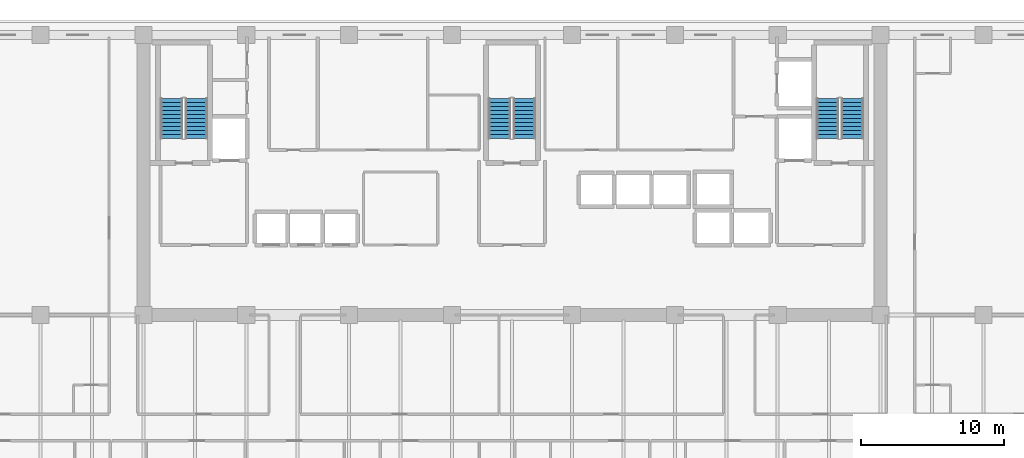
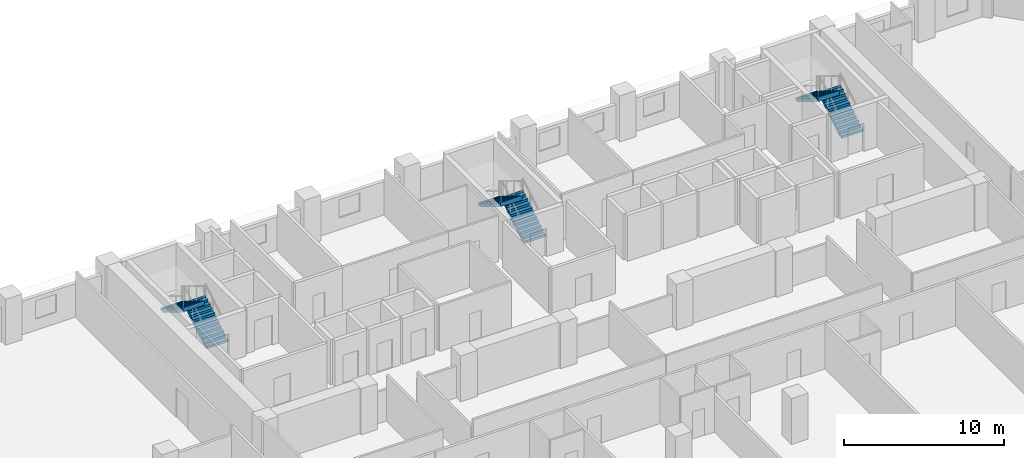
# One storey, part 10 of 14: 6 stair flights, 3 elements without a shape of their own.
"""IFC4 building model written with IfcOpenShell, lengths in metres."""

from ifc_helpers import new_model, si_unit, direction, frame, origin, place, context, subcontext, project, spatial, polyline, outline, extrude, material, type_object, element, aggregate, save


model = new_model("IFC4")

# Units and contexts
model_context = context("Model", 3, precision=1e-05, world=origin(), true_north=direction((0.0, 1.0)))
body_context = subcontext(model_context, "Body", "Model", "MODEL_VIEW")
ifc_project = project(units=[si_unit("LENGTHUNIT", "METRE"), si_unit("AREAUNIT", "SQUARE_METRE"), si_unit("VOLUMEUNIT", "CUBIC_METRE"), si_unit("PLANEANGLEUNIT", "RADIAN"), si_unit("MASSUNIT", "GRAM", prefix="KILO")], contexts=[model_context])

# Site, building, storey
site_placement = place(None, origin())
site = spatial("IfcSite", under=ifc_project, at=site_placement, CompositionType="ELEMENT")
building_placement = place(site_placement, origin())
building = spatial("IfcBuilding", under=site, at=building_placement, Name="Kaelvorn Grand Hotel", CompositionType="ELEMENT")
storey_placement = place(building_placement, frame((0.0, 0.0, 93.050048828125)))
storey = spatial("IfcBuildingStorey", under=building, at=storey_placement, Name="L21", CompositionType="ELEMENT", Elevation=93.050048828125)

# Stair, stair flights
ifc_material = material(Name="Concrete C40/50", Category="concrete")
stair_type = type_object("IfcStairType", Name="STR-DOG-1560-R06", PredefinedType="HALF_TURN_STAIR", material=ifc_material)
stair_1_placement = place(storey_placement, origin())
stair_1 = element("IfcStair", 1, at=stair_1_placement, inside=storey, type_object=stair_type, Name="L21 West Core Exit Stair ST1", PredefinedType="HALF_TURN_STAIR")
stair_flight_type = type_object("IfcStairFlightType", Name="FLG-DOG-1560-R06", PredefinedType="STRAIGHT", material=ifc_material)
stair_flight_1_placement = place(storey_placement, frame((19.89990234375, 41.760009765625, 0.0), z_axis=(0.0, 0.0, 1.0), x_axis=(0.0, 1.0, 0.0)))
stair_flight_1 = element("IfcStairFlight", 2, at=stair_flight_1_placement, type_object=stair_flight_type, Name="ST1 flight 1", NumberOfRisers=11, NumberOfTreads=10, PredefinedType="STRAIGHT", RiserHeight=0.170454545, TreadLength=0.28, context=body_context, shape_type="SweptSolid", body=[
    extrude(outline(polyline([(-0.0048828125, 0.0), (-0.0048828125, 0.0400390625), (0.0, 0.17041015625), (0.280029296875, 0.17041015625), (0.280029296875, 0.3408203125), (0.56005859375, 0.3408203125), (0.56005859375, 0.511474609375), (0.840087890625, 0.511474609375), (0.840087890625, 0.681884765625), (1.1201171875, 0.681884765625), (1.1201171875, 0.852294921875), (1.39990234375, 0.852294921875), (1.39990234375, 1.022705078125), (1.679931640625, 1.022705078125), (1.679931640625, 1.193115234375), (1.9599609375, 1.193115234375), (1.9599609375, 1.363525390625), (2.239990234375, 1.363525390625), (2.239990234375, 1.5341796875), (2.52001953125, 1.5341796875), (2.52001953125, 1.70458984375), (2.800048828125, 1.70458984375), (2.800048828125, 1.875), (2.804931640625, 1.875), (2.804931640625, 1.529052734375), (0.288330078125, 0.0), (-0.0048828125, 0.0)])), frame((0.0, 0.780029296875, 0.0), z_axis=(0.0, -1.0, 0.0), x_axis=(1.0, 0.0, 0.0)), (0.0, 0.0, 1.0), 1.56005859375),
])
stair_flight_2_placement = place(storey_placement, frame((18.179931640625, 44.56005859375, 1.875), z_axis=(0.0, 0.0, 1.0), x_axis=(0.0, -1.0, 0.0)))
stair_flight_2 = element("IfcStairFlight", 3, at=stair_flight_2_placement, type_object=stair_flight_type, Name="ST1 flight 2", NumberOfRisers=11, NumberOfTreads=10, PredefinedType="STRAIGHT", RiserHeight=0.170454545, TreadLength=0.28, context=body_context, shape_type="SweptSolid", body=[
    extrude(outline(polyline([(-0.0048828125, 0.0), (-0.0048828125, 0.0400390625), (0.0, 0.17041015625), (0.280029296875, 0.17041015625), (0.280029296875, 0.3408203125), (0.56005859375, 0.3408203125), (0.56005859375, 0.511474609375), (0.840087890625, 0.511474609375), (0.840087890625, 0.681884765625), (1.1201171875, 0.681884765625), (1.1201171875, 0.852294921875), (1.39990234375, 0.852294921875), (1.39990234375, 1.022705078125), (1.679931640625, 1.022705078125), (1.679931640625, 1.193115234375), (1.9599609375, 1.193115234375), (1.9599609375, 1.363525390625), (2.239990234375, 1.363525390625), (2.239990234375, 1.5341796875), (2.52001953125, 1.5341796875), (2.52001953125, 1.70458984375), (2.800048828125, 1.70458984375), (2.800048828125, 1.875), (2.804931640625, 1.875), (2.804931640625, 1.529052734375), (0.288330078125, 0.0), (-0.0048828125, 0.0)])), frame((0.0, 0.780029296875, 0.0), z_axis=(0.0, -1.0, 0.0), x_axis=(1.0, 0.0, 0.0)), (0.0, 0.0, 1.0), 1.56005859375),
])
aggregate(stair_1, [stair_flight_1, stair_flight_2])

stair_2_placement = place(storey_placement, origin())
stair_2 = element("IfcStair", 4, at=stair_2_placement, inside=storey, type_object=stair_type, Name="L21 Central Core Exit Stair ST2", PredefinedType="HALF_TURN_STAIR")
stair_flight_3_placement = place(storey_placement, frame((42.860107421875, 41.760009765625, 0.0), z_axis=(0.0, 0.0, 1.0), x_axis=(0.0, 1.0, 0.0)))
stair_flight_3 = element("IfcStairFlight", 5, at=stair_flight_3_placement, type_object=stair_flight_type, Name="ST2 flight 1", NumberOfRisers=11, NumberOfTreads=10, PredefinedType="STRAIGHT", RiserHeight=0.170454545, TreadLength=0.28, context=body_context, shape_type="SweptSolid", body=[
    extrude(outline(polyline([(-0.0048828125, 0.0), (-0.0048828125, 0.0400390625), (0.0, 0.17041015625), (0.280029296875, 0.17041015625), (0.280029296875, 0.3408203125), (0.56005859375, 0.3408203125), (0.56005859375, 0.511474609375), (0.840087890625, 0.511474609375), (0.840087890625, 0.681884765625), (1.1201171875, 0.681884765625), (1.1201171875, 0.852294921875), (1.39990234375, 0.852294921875), (1.39990234375, 1.022705078125), (1.679931640625, 1.022705078125), (1.679931640625, 1.193115234375), (1.9599609375, 1.193115234375), (1.9599609375, 1.363525390625), (2.239990234375, 1.363525390625), (2.239990234375, 1.5341796875), (2.52001953125, 1.5341796875), (2.52001953125, 1.70458984375), (2.800048828125, 1.70458984375), (2.800048828125, 1.875), (2.804931640625, 1.875), (2.804931640625, 1.529052734375), (0.288330078125, 0.0), (-0.0048828125, 0.0)])), frame((0.0, 0.780029296875, 0.0), z_axis=(0.0, -1.0, 0.0), x_axis=(1.0, 0.0, 0.0)), (0.0, 0.0, 1.0), 1.56005859375),
])
stair_flight_4_placement = place(storey_placement, frame((41.139892578125, 44.56005859375, 1.875), z_axis=(0.0, 0.0, 1.0), x_axis=(0.0, -1.0, 0.0)))
stair_flight_4 = element("IfcStairFlight", 6, at=stair_flight_4_placement, type_object=stair_flight_type, Name="ST2 flight 2", NumberOfRisers=11, NumberOfTreads=10, PredefinedType="STRAIGHT", RiserHeight=0.170454545, TreadLength=0.28, context=body_context, shape_type="SweptSolid", body=[
    extrude(outline(polyline([(-0.0048828125, 0.0), (-0.0048828125, 0.0400390625), (0.0, 0.17041015625), (0.280029296875, 0.17041015625), (0.280029296875, 0.3408203125), (0.56005859375, 0.3408203125), (0.56005859375, 0.511474609375), (0.840087890625, 0.511474609375), (0.840087890625, 0.681884765625), (1.1201171875, 0.681884765625), (1.1201171875, 0.852294921875), (1.39990234375, 0.852294921875), (1.39990234375, 1.022705078125), (1.679931640625, 1.022705078125), (1.679931640625, 1.193115234375), (1.9599609375, 1.193115234375), (1.9599609375, 1.363525390625), (2.239990234375, 1.363525390625), (2.239990234375, 1.5341796875), (2.52001953125, 1.5341796875), (2.52001953125, 1.70458984375), (2.800048828125, 1.70458984375), (2.800048828125, 1.875), (2.804931640625, 1.875), (2.804931640625, 1.529052734375), (0.288330078125, 0.0), (-0.0048828125, 0.0)])), frame((0.0, 0.780029296875, 0.0), z_axis=(0.0, -1.0, 0.0), x_axis=(1.0, 0.0, 0.0)), (0.0, 0.0, 1.0), 1.56005859375),
])
aggregate(stair_2, [stair_flight_3, stair_flight_4])

stair_3_placement = place(storey_placement, origin())
stair_3 = element("IfcStair", 7, at=stair_3_placement, inside=storey, type_object=stair_type, Name="L21 East Core Exit Stair ST3", PredefinedType="HALF_TURN_STAIR")
stair_flight_5_placement = place(storey_placement, frame((65.820068359375, 41.760009765625, 0.0), z_axis=(0.0, 0.0, 1.0), x_axis=(0.0, 1.0, 0.0)))
stair_flight_5 = element("IfcStairFlight", 8, at=stair_flight_5_placement, type_object=stair_flight_type, Name="ST3 flight 1", NumberOfRisers=11, NumberOfTreads=10, PredefinedType="STRAIGHT", RiserHeight=0.170454545, TreadLength=0.28, context=body_context, shape_type="SweptSolid", body=[
    extrude(outline(polyline([(-0.0048828125, 0.0), (-0.0048828125, 0.0400390625), (0.0, 0.17041015625), (0.280029296875, 0.17041015625), (0.280029296875, 0.3408203125), (0.56005859375, 0.3408203125), (0.56005859375, 0.511474609375), (0.840087890625, 0.511474609375), (0.840087890625, 0.681884765625), (1.1201171875, 0.681884765625), (1.1201171875, 0.852294921875), (1.39990234375, 0.852294921875), (1.39990234375, 1.022705078125), (1.679931640625, 1.022705078125), (1.679931640625, 1.193115234375), (1.9599609375, 1.193115234375), (1.9599609375, 1.363525390625), (2.239990234375, 1.363525390625), (2.239990234375, 1.5341796875), (2.52001953125, 1.5341796875), (2.52001953125, 1.70458984375), (2.800048828125, 1.70458984375), (2.800048828125, 1.875), (2.804931640625, 1.875), (2.804931640625, 1.529052734375), (0.288330078125, 0.0), (-0.0048828125, 0.0)])), frame((0.0, 0.780029296875, 0.0), z_axis=(0.0, -1.0, 0.0), x_axis=(1.0, 0.0, 0.0)), (0.0, 0.0, 1.0), 1.56005859375),
])
stair_flight_6_placement = place(storey_placement, frame((64.10009765625, 44.56005859375, 1.875), z_axis=(0.0, 0.0, 1.0), x_axis=(0.0, -1.0, 0.0)))
stair_flight_6 = element("IfcStairFlight", 9, at=stair_flight_6_placement, type_object=stair_flight_type, Name="ST3 flight 2", NumberOfRisers=11, NumberOfTreads=10, PredefinedType="STRAIGHT", RiserHeight=0.170454545, TreadLength=0.28, context=body_context, shape_type="SweptSolid", body=[
    extrude(outline(polyline([(-0.0048828125, 0.0), (-0.0048828125, 0.0400390625), (0.0, 0.17041015625), (0.280029296875, 0.17041015625), (0.280029296875, 0.3408203125), (0.56005859375, 0.3408203125), (0.56005859375, 0.511474609375), (0.840087890625, 0.511474609375), (0.840087890625, 0.681884765625), (1.1201171875, 0.681884765625), (1.1201171875, 0.852294921875), (1.39990234375, 0.852294921875), (1.39990234375, 1.022705078125), (1.679931640625, 1.022705078125), (1.679931640625, 1.193115234375), (1.9599609375, 1.193115234375), (1.9599609375, 1.363525390625), (2.239990234375, 1.363525390625), (2.239990234375, 1.5341796875), (2.52001953125, 1.5341796875), (2.52001953125, 1.70458984375), (2.800048828125, 1.70458984375), (2.800048828125, 1.875), (2.804931640625, 1.875), (2.804931640625, 1.529052734375), (0.288330078125, 0.0), (-0.0048828125, 0.0)])), frame((0.0, 0.780029296875, 0.0), z_axis=(0.0, -1.0, 0.0), x_axis=(1.0, 0.0, 0.0)), (0.0, 0.0, 1.0), 1.56005859375),
])
aggregate(stair_3, [stair_flight_5, stair_flight_6])

save(model, "model.ifc")
